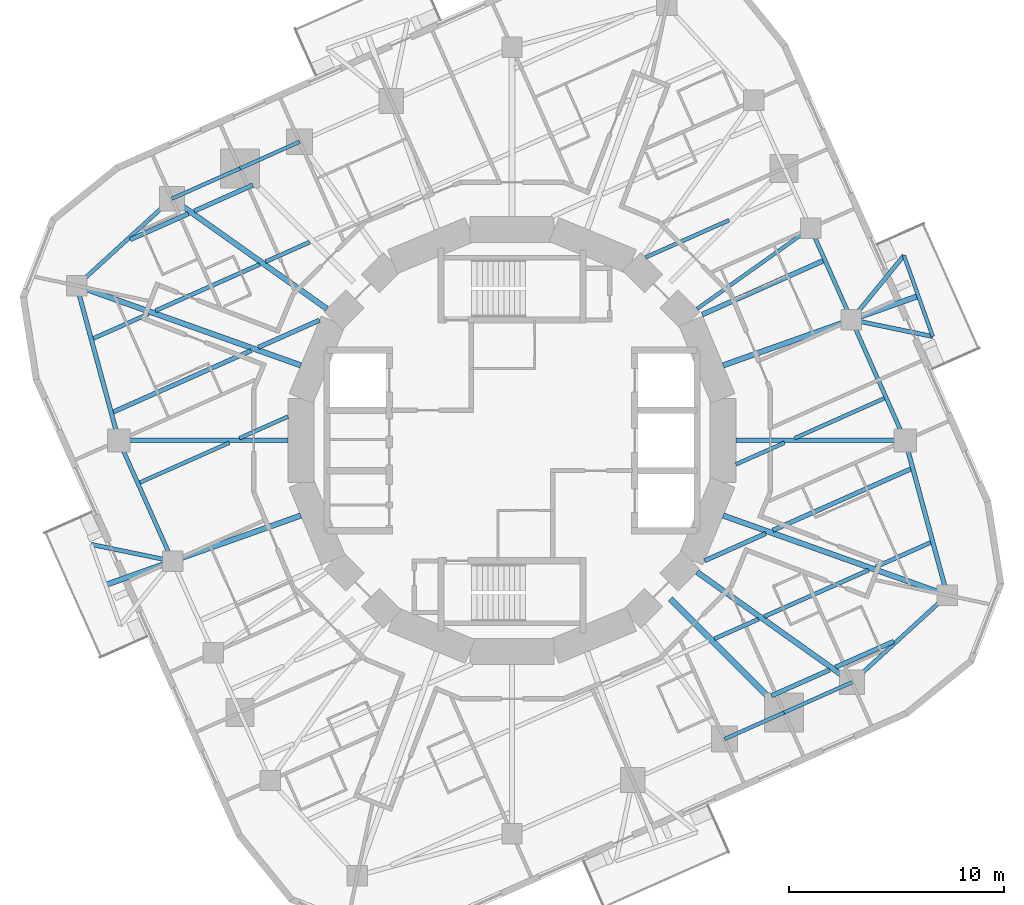
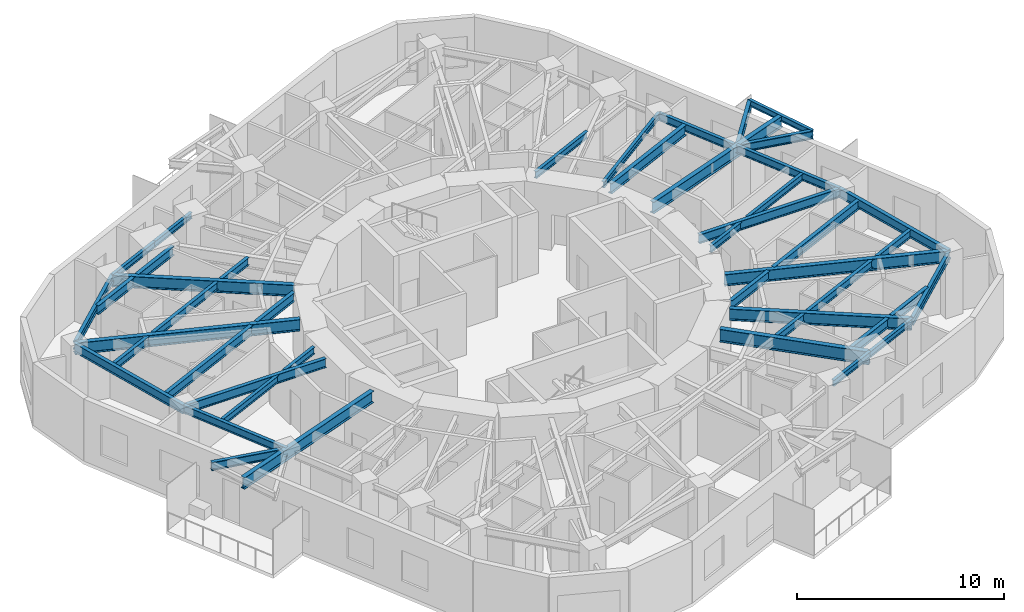
# One storey, part 2 of 12: 45 beams.
"""IFC4 building model written with IfcOpenShell, lengths in metres."""

from ifc_helpers import new_model, si_unit, direction, frame, origin, origin_2d, place, context, subcontext, project, spatial, i_section, extrude, material, material_profile, profile_set, type_object, element, save


model = new_model("IFC4")

# Units and contexts
model_context = context("Model", 3, precision=1e-05, world=origin(), true_north=direction((0.0, 1.0)))
body_context = subcontext(model_context, "Body", "Model", "MODEL_VIEW")
ifc_project = project(units=[si_unit("LENGTHUNIT", "METRE"), si_unit("AREAUNIT", "SQUARE_METRE"), si_unit("VOLUMEUNIT", "CUBIC_METRE"), si_unit("PLANEANGLEUNIT", "RADIAN"), si_unit("MASSUNIT", "GRAM", prefix="KILO")], contexts=[model_context])

# Site, building, storey
site_placement = place(None, origin())
site = spatial("IfcSite", under=ifc_project, at=site_placement, CompositionType="ELEMENT")
building_placement = place(site_placement, origin())
building = spatial("IfcBuilding", under=site, at=building_placement, Name="Nakasero Lantern House", CompositionType="ELEMENT")
storey_placement = place(building_placement, frame((0.0, 0.0, 190.14990234375)))
storey = spatial("IfcBuildingStorey", under=building, at=storey_placement, Name="L46", CompositionType="ELEMENT", Elevation=190.14990234375)

# Beams
ifc_material_1 = material(Name="Steel S355", Category="steel")
ifc_material_profile_1 = material_profile(ifc_material_1, i_section(OverallWidth=0.199462890625, OverallDepth=0.491943359375, WebThickness=0.01806640625, FlangeThickness=0.031982421875, FilletRadius=0.01025390625, at=origin_2d()), Name="UB 457x191x161")
ifc_profile_set_1 = profile_set([ifc_material_profile_1], Name="Steel S355")
beam_type_1 = type_object("IfcBeamType", Name="Balcony splay beam UB 457x191x161", PredefinedType="BEAM", material=ifc_profile_set_1)
beam_1_placement = place(storey_placement, frame((15.781982421875, 5.611328125, 3.404052734375), z_axis=(0.632165712937, 0.774833215206, 0.0), x_axis=(-0.774833215206, 0.632165712937, 0.0)))
element("IfcBeam", 1, at=beam_1_placement, inside=storey, type_object=beam_type_1, Name="Balcony splay beam L47 B5-C04A", PredefinedType="BEAM", context=body_context, shape_type="SweptSolid", body=[
    extrude(i_section(OverallWidth=0.199462890625, OverallDepth=0.491943359375, WebThickness=0.01806640625, FlangeThickness=0.031982421875, FilletRadius=0.01025390625, at=origin_2d()), origin(), (0.0, 0.0, 1.0), 3.85888671875),
])
for number, where, z_axis, x_axis, name in (
    (2, (15.781982421875, 5.611328125, 3.404052734375), (0.979420272605, -0.201831438605, 0.0), (0.201831438605, 0.979420272605, 0.0), "Balcony splay beam L47 B5-C04B"),
    (3, (-15.781982421875, -5.611328125, 3.404052734375), (-0.979420272605, 0.201831438605, 0.0), (-0.201831438605, -0.979420272605, 0.0), "Balcony splay beam L47 B5-C16B"),
):
    element("IfcBeam", number, at=place(storey_placement, frame(where, z_axis=z_axis, x_axis=x_axis)), inside=storey, type_object=beam_type_1, Name=name, PredefinedType="BEAM", context=body_context, shape_type="SweptSolid", body=[
        extrude(i_section(OverallWidth=0.199462890625, OverallDepth=0.491943359375, WebThickness=0.01806640625, FlangeThickness=0.031982421875, FilletRadius=0.01025390625, at=origin_2d()), origin(), (0.0, 0.0, 1.0), 3.858642578125),
    ])
ifc_material_2 = material(Name="Steel S355", Category="steel")
ifc_material_profile_2 = material_profile(ifc_material_2, i_section(OverallWidth=0.17138671875, OverallDepth=0.35498046875, WebThickness=0.00732421875, FlangeThickness=0.011474609375, FilletRadius=0.01025390625, at=origin_2d()), Name="UB 356x171x51")
ifc_profile_set_2 = profile_set([ifc_material_profile_2], Name="Steel S355")
beam_type_2 = type_object("IfcBeamType", Name="Balcony tie beam UB 356x171x51", PredefinedType="BEAM", material=ifc_profile_set_2)
beam_2_placement = place(storey_placement, frame((18.221435546875, 8.601318359375, 3.47265625), z_axis=(0.334971134582, -0.94222839004, 0.0), x_axis=(0.94222839004, 0.334971134582, 0.0)))
element("IfcBeam", 4, at=beam_2_placement, inside=storey, type_object=beam_type_2, Name="Balcony tie beam L47 B5-C04", PredefinedType="BEAM", context=body_context, shape_type="SweptSolid", body=[
    extrude(i_section(OverallWidth=0.17138671875, OverallDepth=0.35498046875, WebThickness=0.00732421875, FlangeThickness=0.011474609375, FilletRadius=0.01025390625, at=origin_2d()), origin(), (0.0, 0.0, 1.0), 4.0),
])
ifc_material_3 = material(Name="Steel S355", Category="steel")
ifc_material_profile_3 = material_profile(ifc_material_3, i_section(OverallWidth=0.177978515625, OverallDepth=0.406494140625, WebThickness=0.0078125, FlangeThickness=0.0126953125, FilletRadius=0.01025390625, at=origin_2d()), Name="UB 406x178x60")
ifc_profile_set_3 = profile_set([ifc_material_profile_3], Name="Steel S355")
beam_type_3 = type_object("IfcBeamType", Name="Infill beam UB 406x178x60", PredefinedType="JOIST", material=ifc_profile_set_3)
beam_3_placement = place(storey_placement, frame((10.407958984375, -1.113037109375, 3.44677734375), z_axis=(0.913531019811, 0.406769069427, 0.0), x_axis=(-0.406769069427, 0.913531019811, 0.0)))
element("IfcBeam", 5, at=beam_3_placement, inside=storey, type_object=beam_type_3, Name="Infill beam L47 06.3", PredefinedType="JOIST", context=body_context, shape_type="SweptSolid", body=[
    extrude(i_section(OverallWidth=0.177978515625, OverallDepth=0.406494140625, WebThickness=0.0078125, FlangeThickness=0.0126953125, FilletRadius=0.01025390625, at=origin_2d()), origin(), (0.0, 0.0, 1.0), 2.478271484375),
])
for number, where, z_axis, x_axis, name in (
    (6, (13.1435546875, 0.10498046875, 3.44677734375), (0.913537236337, 0.406755107929, 0.0), (-0.406755107929, 0.913537236337, 0.0), "Infill beam L47 06.4"),
    (7, (-17.30419921875, -1.95751953125, 3.44677734375), (0.913537236337, 0.406755107929, 0.0), (-0.406755107929, 0.913537236337, 0.0), "Infill beam L47 09.1"),
):
    element("IfcBeam", number, at=place(storey_placement, frame(where, z_axis=z_axis, x_axis=x_axis)), inside=storey, type_object=beam_type_3, Name=name, PredefinedType="JOIST", context=body_context, shape_type="SweptSolid", body=[
        extrude(i_section(OverallWidth=0.177978515625, OverallDepth=0.406494140625, WebThickness=0.0078125, FlangeThickness=0.0126953125, FilletRadius=0.01025390625, at=origin_2d()), origin(), (0.0, 0.0, 1.0), 4.554443359375),
    ])
beam_4_placement = place(storey_placement, frame((-12.671875, 0.10498046875, 3.44677734375), z_axis=(0.913531019811, 0.406769069427, 0.0), x_axis=(-0.406769069427, 0.913531019811, 0.0)))
element("IfcBeam", 8, at=beam_4_placement, inside=storey, type_object=beam_type_3, Name="Infill beam L47 09.2", PredefinedType="JOIST", context=body_context, shape_type="SweptSolid", body=[
    extrude(i_section(OverallWidth=0.177978515625, OverallDepth=0.406494140625, WebThickness=0.0078125, FlangeThickness=0.0126953125, FilletRadius=0.01025390625, at=origin_2d()), origin(), (0.0, 0.0, 1.0), 2.478271484375),
])
beam_5_placement = place(storey_placement, frame((6.2080078125, 8.5107421875, 3.44677734375), z_axis=(0.91354134882, 0.406745871517, 0.0), x_axis=(-0.406745871517, 0.91354134882, 0.0)))
element("IfcBeam", 9, at=beam_5_placement, inside=storey, type_object=beam_type_3, Name="Infill beam L47 09.3", PredefinedType="JOIST", context=body_context, shape_type="SweptSolid", body=[
    extrude(i_section(OverallWidth=0.177978515625, OverallDepth=0.406494140625, WebThickness=0.0078125, FlangeThickness=0.0126953125, FilletRadius=0.01025390625, at=origin_2d()), origin(), (0.0, 0.0, 1.0), 4.250732421875),
])
ifc_material_4 = material(Name="Steel S355", Category="steel")
ifc_material_profile_4 = material_profile(ifc_material_4, i_section(OverallWidth=0.18994140625, OverallDepth=0.453369140625, WebThickness=0.008544921875, FlangeThickness=0.0126953125, FilletRadius=0.01025390625, at=origin_2d()), Name="UB 457x191x67")
ifc_profile_set_4 = profile_set([ifc_material_profile_4], Name="Steel S355")
beam_type_4 = type_object("IfcBeamType", Name="Infill beam UB 457x191x67", PredefinedType="JOIST", material=ifc_profile_set_4)
beam_6_placement = place(storey_placement, frame((9.40869140625, -9.22021484375, 3.42333984375), z_axis=(0.913542551782, 0.406743169684, 0.0), x_axis=(-0.406743169684, 0.913542551782, 0.0)))
element("IfcBeam", 10, at=beam_6_placement, inside=storey, type_object=beam_type_4, Name="Infill beam L47 04.6", PredefinedType="JOIST", context=body_context, shape_type="SweptSolid", body=[
    extrude(i_section(OverallWidth=0.18994140625, OverallDepth=0.453369140625, WebThickness=0.008544921875, FlangeThickness=0.0126953125, FilletRadius=0.01025390625, at=origin_2d()), origin(), (0.0, 0.0, 1.0), 2.247314453125),
])
beam_7_placement = place(storey_placement, frame((11.73095703125, -8.186279296875, 3.42333984375), z_axis=(0.913558956665, 0.406706322421, 0.0), x_axis=(-0.406706322421, 0.913558956665, 0.0)))
element("IfcBeam", 11, at=beam_7_placement, inside=storey, type_object=beam_type_4, Name="Infill beam L47 04.7", PredefinedType="JOIST", context=body_context, shape_type="SweptSolid", body=[
    extrude(i_section(OverallWidth=0.18994140625, OverallDepth=0.453369140625, WebThickness=0.008544921875, FlangeThickness=0.0126953125, FilletRadius=0.01025390625, at=origin_2d()), origin(), (0.0, 0.0, 1.0), 5.3046875),
])
beam_8_placement = place(storey_placement, frame((16.913330078125, -5.87890625, 3.42333984375), z_axis=(0.913544199752, 0.406739468332, 0.0), x_axis=(-0.406739468332, 0.913544199752, 0.0)))
element("IfcBeam", 12, at=beam_8_placement, inside=storey, type_object=beam_type_4, Name="Infill beam L47 04.8", PredefinedType="JOIST", context=body_context, shape_type="SweptSolid", body=[
    extrude(i_section(OverallWidth=0.18994140625, OverallDepth=0.453369140625, WebThickness=0.008544921875, FlangeThickness=0.0126953125, FilletRadius=0.01025390625, at=origin_2d()), origin(), (0.0, 0.0, 1.0), 2.788818359375),
])
beam_9_placement = place(storey_placement, frame((-19.46142578125, 4.744384765625, 3.42333984375), z_axis=(0.913540637242, 0.4067474697, 0.0), x_axis=(-0.4067474697, 0.913540637242, 0.0)))
element("IfcBeam", 13, at=beam_9_placement, inside=storey, type_object=beam_type_4, Name="Infill beam L47 11.1", PredefinedType="JOIST", context=body_context, shape_type="SweptSolid", body=[
    extrude(i_section(OverallWidth=0.18994140625, OverallDepth=0.453369140625, WebThickness=0.008544921875, FlangeThickness=0.0126953125, FilletRadius=0.01025390625, at=origin_2d()), origin(), (0.0, 0.0, 1.0), 2.789306640625),
])
beam_10_placement = place(storey_placement, frame((-16.5771484375, 6.02880859375, 3.42333984375), z_axis=(0.913558956665, 0.406706322421, 0.0), x_axis=(-0.406706322421, 0.913558956665, 0.0)))
element("IfcBeam", 14, at=beam_10_placement, inside=storey, type_object=beam_type_4, Name="Infill beam L47 11.2", PredefinedType="JOIST", context=body_context, shape_type="SweptSolid", body=[
    extrude(i_section(OverallWidth=0.18994140625, OverallDepth=0.453369140625, WebThickness=0.008544921875, FlangeThickness=0.0126953125, FilletRadius=0.01025390625, at=origin_2d()), origin(), (0.0, 0.0, 1.0), 5.3046875),
])
beam_11_placement = place(storey_placement, frame((-11.461669921875, 8.30615234375, 3.42333984375), z_axis=(0.913516376313, 0.406801954529, 0.0), x_axis=(-0.406801954529, 0.913516376313, 0.0)))
element("IfcBeam", 15, at=beam_11_placement, inside=storey, type_object=beam_type_4, Name="Infill beam L47 11.3", PredefinedType="JOIST", context=body_context, shape_type="SweptSolid", body=[
    extrude(i_section(OverallWidth=0.18994140625, OverallDepth=0.453369140625, WebThickness=0.008544921875, FlangeThickness=0.0126953125, FilletRadius=0.01025390625, at=origin_2d()), origin(), (0.0, 0.0, 1.0), 2.2529296875),
])
ifc_material_5 = material(Name="Steel S355", Category="steel")
ifc_material_profile_5 = material_profile(ifc_material_5, i_section(OverallWidth=0.2099609375, OverallDepth=0.53662109375, WebThickness=0.0107421875, FlangeThickness=0.017333984375, FilletRadius=0.0126953125, at=origin_2d()), Name="UB 533x210x101")
ifc_profile_set_5 = profile_set([ifc_material_profile_5], Name="Steel S355")
beam_type_5 = type_object("IfcBeamType", Name="Infill beam UB 533x210x101", PredefinedType="JOIST", material=ifc_profile_set_5)
beam_12_placement = place(storey_placement, frame((12.059814453125, -11.87109375, 3.3818359375), z_axis=(0.913557306792, 0.406710028408, 0.0), x_axis=(-0.406710028408, 0.913557306792, 0.0)))
element("IfcBeam", 16, at=beam_12_placement, inside=storey, type_object=beam_type_5, Name="Infill beam L47 03.2", PredefinedType="JOIST", context=body_context, shape_type="SweptSolid", body=[
    extrude(i_section(OverallWidth=0.2099609375, OverallDepth=0.53662109375, WebThickness=0.0107421875, FlangeThickness=0.017333984375, FilletRadius=0.0126953125, at=origin_2d()), origin(), (0.0, 0.0, 1.0), 2.971923828125),
])
for number, where, z_axis, x_axis, name in (
    (17, (15.044189453125, -10.54248046875, 3.3818359375), (0.91353278913, 0.406765095827, 0.0), (-0.406765095827, 0.91353278913, 0.0), "Infill beam L47 03.3"),
    (18, (-17.751708984375, 9.3369140625, 3.3818359375), (0.91353278913, 0.406765095827, 0.0), (-0.406765095827, 0.91353278913, 0.0), "Infill beam L47 12.1"),
):
    element("IfcBeam", number, at=place(storey_placement, frame(where, z_axis=z_axis, x_axis=x_axis)), inside=storey, type_object=beam_type_5, Name=name, PredefinedType="JOIST", context=body_context, shape_type="SweptSolid", body=[
        extrude(i_section(OverallWidth=0.2099609375, OverallDepth=0.53662109375, WebThickness=0.0107421875, FlangeThickness=0.017333984375, FilletRadius=0.0126953125, at=origin_2d()), origin(), (0.0, 0.0, 1.0), 2.9638671875),
    ])
beam_13_placement = place(storey_placement, frame((-14.77490234375, 10.662353515625, 3.3818359375), z_axis=(0.913551039628, 0.406724105501, 0.0), x_axis=(-0.406724105501, 0.913551039628, 0.0)))
element("IfcBeam", 19, at=beam_13_placement, inside=storey, type_object=beam_type_5, Name="Infill beam L47 12.2", PredefinedType="JOIST", context=body_context, shape_type="SweptSolid", body=[
    extrude(i_section(OverallWidth=0.2099609375, OverallDepth=0.53662109375, WebThickness=0.0107421875, FlangeThickness=0.017333984375, FilletRadius=0.0126953125, at=origin_2d()), origin(), (0.0, 0.0, 1.0), 2.977783203125),
])
ifc_material_6 = material(Name="Steel S355", Category="steel")
ifc_material_profile_6 = material_profile(ifc_material_6, i_section(OverallWidth=0.208740234375, OverallDepth=0.5283203125, WebThickness=0.009521484375, FlangeThickness=0.01318359375, FilletRadius=0.0126953125, at=origin_2d()), Name="UB 533x210x82")
ifc_profile_set_6 = profile_set([ifc_material_profile_6], Name="Steel S355")
beam_type_6 = type_object("IfcBeamType", Name="Infill beam UB 533x210x82", PredefinedType="JOIST", material=ifc_profile_set_6)
beam_14_placement = place(storey_placement, frame((8.9482421875, -5.593994140625, 3.385986328125), z_axis=(0.913555928833, 0.406713123582, 0.0), x_axis=(-0.406713123582, 0.913555928833, 0.0)))
element("IfcBeam", 20, at=beam_14_placement, inside=storey, type_object=beam_type_6, Name="Infill beam L47 05.4", PredefinedType="JOIST", context=body_context, shape_type="SweptSolid", body=[
    extrude(i_section(OverallWidth=0.208740234375, OverallDepth=0.5283203125, WebThickness=0.009521484375, FlangeThickness=0.01318359375, FilletRadius=0.0126953125, at=origin_2d()), origin(), (0.0, 0.0, 1.0), 3.113525390625),
])
beam_15_placement = place(storey_placement, frame((12.12890625, -4.177978515625, 3.385986328125), z_axis=(0.913538442343, 0.406752399332, 0.0), x_axis=(-0.406752399332, 0.913538442343, 0.0)))
element("IfcBeam", 21, at=beam_15_placement, inside=storey, type_object=beam_type_6, Name="Infill beam L47 05.5", PredefinedType="JOIST", context=body_context, shape_type="SweptSolid", body=[
    extrude(i_section(OverallWidth=0.208740234375, OverallDepth=0.5283203125, WebThickness=0.009521484375, FlangeThickness=0.01318359375, FilletRadius=0.0126953125, at=origin_2d()), origin(), (0.0, 0.0, 1.0), 7.00927734375),
])
beam_16_placement = place(storey_placement, frame((-18.53271484375, 1.32666015625, 3.385986328125), z_axis=(0.913537025225, 0.406755582067, 0.0), x_axis=(-0.406755582067, 0.913537025225, 0.0)))
element("IfcBeam", 22, at=beam_16_placement, inside=storey, type_object=beam_type_6, Name="Infill beam L47 10.1", PredefinedType="JOIST", context=body_context, shape_type="SweptSolid", body=[
    extrude(i_section(OverallWidth=0.208740234375, OverallDepth=0.5283203125, WebThickness=0.009521484375, FlangeThickness=0.01318359375, FilletRadius=0.0126953125, at=origin_2d()), origin(), (0.0, 0.0, 1.0), 7.010009765625),
])
beam_17_placement = place(storey_placement, frame((-11.792724609375, 4.32763671875, 3.385986328125), z_axis=(0.913555928833, 0.406713123582, 0.0), x_axis=(-0.406713123582, 0.913555928833, 0.0)))
element("IfcBeam", 23, at=beam_17_placement, inside=storey, type_object=beam_type_6, Name="Infill beam L47 10.2", PredefinedType="JOIST", context=body_context, shape_type="SweptSolid", body=[
    extrude(i_section(OverallWidth=0.208740234375, OverallDepth=0.5283203125, WebThickness=0.009521484375, FlangeThickness=0.01318359375, FilletRadius=0.0126953125, at=origin_2d()), origin(), (0.0, 0.0, 1.0), 3.113525390625),
])
ifc_material_7 = material(Name="Steel S355", Category="steel")
ifc_material_profile_7 = material_profile(ifc_material_7, i_section(OverallWidth=0.22900390625, OverallDepth=0.6123046875, WebThickness=0.011962890625, FlangeThickness=0.01953125, FilletRadius=0.0126953125, at=origin_2d()), Name="UB 610x229x125")
ifc_profile_set_7 = profile_set([ifc_material_profile_7], Name="Steel S355")
beam_type_7 = type_object("IfcBeamType", Name="Infill beam UB 610x229x125", PredefinedType="JOIST", material=ifc_profile_set_7)
beam_18_placement = place(storey_placement, frame((8.84130859375, 5.85205078125, 3.343994140625), z_axis=(0.913552627294, 0.406720539393, 0.0), x_axis=(-0.406720539393, 0.913552627294, 0.0)))
element("IfcBeam", 24, at=beam_18_placement, inside=storey, type_object=beam_type_7, Name="Infill beam L47 08.1", PredefinedType="JOIST", context=body_context, shape_type="SweptSolid", body=[
    extrude(i_section(OverallWidth=0.22900390625, OverallDepth=0.6123046875, WebThickness=0.011962890625, FlangeThickness=0.01953125, FilletRadius=0.0126953125, at=origin_2d()), origin(), (0.0, 0.0, 1.0), 6.14794921875),
])
ifc_material_8 = material(Name="Steel S355", Category="steel")
ifc_material_profile_8 = material_profile(ifc_material_8, i_section(OverallWidth=0.17138671875, OverallDepth=0.35498046875, WebThickness=0.00732421875, FlangeThickness=0.011474609375, FilletRadius=0.01025390625, at=origin_2d()), Name="UB 356x171x51")
ifc_profile_set_8 = profile_set([ifc_material_profile_8], Name="Steel S355")
beam_type_8 = type_object("IfcBeamType", Name="Primary beam UB 356x171x51, span 6 to 9 m", PredefinedType="BEAM", material=ifc_profile_set_8)
beam_19_placement = place(storey_placement, frame((13.884521484375, 9.87353515625, 3.47265625), z_axis=(-0.8149430702, -0.57954101868, 0.0), x_axis=(0.57954101868, -0.8149430702, 0.0)))
element("IfcBeam", 25, at=beam_19_placement, inside=storey, type_object=beam_type_8, Name="Primary beam L47 B5-C05", PredefinedType="BEAM", context=body_context, shape_type="SweptSolid", body=[
    extrude(i_section(OverallWidth=0.17138671875, OverallDepth=0.35498046875, WebThickness=0.00732421875, FlangeThickness=0.011474609375, FilletRadius=0.01025390625, at=origin_2d()), origin(), (0.0, 0.0, 1.0), 6.48193359375),
])
ifc_material_9 = material(Name="Steel S355", Category="steel")
ifc_material_profile_9 = material_profile(ifc_material_9, i_section(OverallWidth=0.2099609375, OverallDepth=0.53662109375, WebThickness=0.0107421875, FlangeThickness=0.017333984375, FilletRadius=0.0126953125, at=origin_2d()), Name="UB 533x210x101")
ifc_profile_set_9 = profile_set([ifc_material_profile_9], Name="Steel S355")
beam_type_9 = type_object("IfcBeamType", Name="Primary beam UB 533x210x101, span 6 to 9 m", PredefinedType="BEAM", material=ifc_profile_set_9)
for number, where, z_axis, x_axis, name in (
    (26, (18.280517578125, 0.0, 3.3818359375), (-1.0, 0.0, 0.0), (0.0, -1.0, 0.0), "Primary beam L47 B5-C03"),
    (27, (-18.280517578125, 0.0, 3.3818359375), (1.0, 0.0, 0.0), (0.0, 1.0, 0.0), "Primary beam L47 B5-C15"),
):
    element("IfcBeam", number, at=place(storey_placement, frame(where, z_axis=z_axis, x_axis=x_axis)), inside=storey, type_object=beam_type_9, Name=name, PredefinedType="BEAM", context=body_context, shape_type="SweptSolid", body=[
        extrude(i_section(OverallWidth=0.2099609375, OverallDepth=0.53662109375, WebThickness=0.0107421875, FlangeThickness=0.017333984375, FilletRadius=0.0126953125, at=origin_2d()), origin(), (0.0, 0.0, 1.0), 7.87255859375),
    ])
ifc_material_10 = material(Name="Steel S355", Category="steel")
ifc_material_profile_10 = material_profile(ifc_material_10, i_section(OverallWidth=0.253662109375, OverallDepth=0.68359375, WebThickness=0.012451171875, FlangeThickness=0.01904296875, FilletRadius=0.01513671875, at=origin_2d()), Name="UB 686x254x140")
ifc_profile_set_10 = profile_set([ifc_material_profile_10], Name="Steel S355")
beam_type_10 = type_object("IfcBeamType", Name="Primary beam UB 686x254x140, span 6 to 9 m", PredefinedType="BEAM", material=ifc_profile_set_10)
beam_20_placement = place(storey_placement, frame((15.808837890625, -11.241943359375, 3.308349609375), z_axis=(-0.814946052543, 0.579536824926, 0.0), x_axis=(-0.579536824926, -0.814946052543, 0.0)))
element("IfcBeam", 28, at=beam_20_placement, inside=storey, type_object=beam_type_10, Name="Primary beam L47 B5-C01", PredefinedType="BEAM", context=body_context, shape_type="SweptSolid", body=[
    extrude(i_section(OverallWidth=0.253662109375, OverallDepth=0.68359375, WebThickness=0.012451171875, FlangeThickness=0.01904296875, FilletRadius=0.01513671875, at=origin_2d()), origin(), (0.0, 0.0, 1.0), 8.84326171875),
])
beam_21_placement = place(storey_placement, frame((18.891357421875, 6.717041015625, 3.308349609375), z_axis=(-0.942207397814, -0.335030177005, 0.0), x_axis=(0.335030177005, -0.942207397814, 0.0)))
element("IfcBeam", 29, at=beam_21_placement, inside=storey, type_object=beam_type_10, Name="Primary beam L47 B5-C04", PredefinedType="BEAM", context=body_context, shape_type="SweptSolid", body=[
    extrude(i_section(OverallWidth=0.253662109375, OverallDepth=0.68359375, WebThickness=0.012451171875, FlangeThickness=0.01904296875, FilletRadius=0.01513671875, at=origin_2d()), origin(), (0.0, 0.0, 1.0), 9.62841796875),
])
beam_22_placement = place(storey_placement, frame((-15.808837890625, 11.241943359375, 3.308349609375), z_axis=(0.814946052543, -0.579536824926, 0.0), x_axis=(0.579536824926, 0.814946052543, 0.0)))
element("IfcBeam", 30, at=beam_22_placement, inside=storey, type_object=beam_type_10, Name="Primary beam L47 B5-C13", PredefinedType="BEAM", context=body_context, shape_type="SweptSolid", body=[
    extrude(i_section(OverallWidth=0.253662109375, OverallDepth=0.68359375, WebThickness=0.012451171875, FlangeThickness=0.01904296875, FilletRadius=0.01513671875, at=origin_2d()), origin(), (0.0, 0.0, 1.0), 8.84326171875),
])
beam_23_placement = place(storey_placement, frame((-18.891357421875, -6.717041015625, 3.308349609375), z_axis=(0.942207397814, 0.335030177005, 0.0), x_axis=(-0.335030177005, 0.942207397814, 0.0)))
element("IfcBeam", 31, at=beam_23_placement, inside=storey, type_object=beam_type_10, Name="Primary beam L47 B5-C16", PredefinedType="BEAM", context=body_context, shape_type="SweptSolid", body=[
    extrude(i_section(OverallWidth=0.253662109375, OverallDepth=0.68359375, WebThickness=0.012451171875, FlangeThickness=0.01904296875, FilletRadius=0.01513671875, at=origin_2d()), origin(), (0.0, 0.0, 1.0), 9.62841796875),
])
ifc_material_11 = material(Name="Steel S355", Category="steel")
ifc_material_profile_11 = material_profile(ifc_material_11, i_section(OverallWidth=0.253662109375, OverallDepth=0.68359375, WebThickness=0.012451171875, FlangeThickness=0.01904296875, FilletRadius=0.01513671875, at=origin_2d()), Name="UB 686x254x140")
ifc_profile_set_11 = profile_set([ifc_material_profile_11], Name="Steel S355")
beam_type_11 = type_object("IfcBeamType", Name="Primary beam UB 686x254x140, span 9 to 12 m", PredefinedType="BEAM", material=ifc_profile_set_11)
for number, where, z_axis, x_axis, name in (
    (32, (20.2353515625, -7.19482421875, 3.308349609375), (-0.942210662535, 0.335020995468, 0.0), (-0.335020995468, -0.942210662535, 0.0), "Primary beam L47 B5-C02"),
    (33, (-20.2353515625, 7.19482421875, 3.308349609375), (0.942210662535, -0.335020995468, 0.0), (0.335020995468, 0.942210662535, 0.0), "Primary beam L47 B5-C14"),
):
    element("IfcBeam", number, at=place(storey_placement, frame(where, z_axis=z_axis, x_axis=x_axis)), inside=storey, type_object=beam_type_11, Name=name, PredefinedType="BEAM", context=body_context, shape_type="SweptSolid", body=[
        extrude(i_section(OverallWidth=0.253662109375, OverallDepth=0.68359375, WebThickness=0.012451171875, FlangeThickness=0.01904296875, FilletRadius=0.01513671875, at=origin_2d()), origin(), (0.0, 0.0, 1.0), 11.054931640625),
    ])
ifc_material_12 = material(Name="Steel S355", Category="steel")
ifc_material_profile_12 = material_profile(ifc_material_12, i_section(OverallWidth=0.2666015625, OverallDepth=0.76220703125, WebThickness=0.014404296875, FlangeThickness=0.021484375, FilletRadius=0.0166015625, at=origin_2d()), Name="UB 762x267x173")
ifc_profile_set_12 = profile_set([ifc_material_profile_12], Name="Steel S355")
beam_type_12 = type_object("IfcBeamType", Name="Primary beam UB 762x267x173, span 6 to 9 m", PredefinedType="BEAM", material=ifc_profile_set_12)
beam_24_placement = place(storey_placement, frame((12.64892578125, -12.64892578125, 3.26904296875), z_axis=(-0.707106781187, 0.707106781187, 0.0), x_axis=(-0.707106781187, -0.707106781187, 0.0)))
element("IfcBeam", 34, at=beam_24_placement, inside=storey, type_object=beam_type_12, Name="Primary beam L47 B5-C24", PredefinedType="BEAM", context=body_context, shape_type="SweptSolid", body=[
    extrude(i_section(OverallWidth=0.2666015625, OverallDepth=0.76220703125, WebThickness=0.014404296875, FlangeThickness=0.021484375, FilletRadius=0.0166015625, at=origin_2d()), origin(), (0.0, 0.0, 1.0), 7.48046875),
])
ifc_material_13 = material(Name="Steel S355", Category="steel")
ifc_material_profile_13 = material_profile(ifc_material_13, i_section(OverallWidth=0.17138671875, OverallDepth=0.35498046875, WebThickness=0.00732421875, FlangeThickness=0.011474609375, FilletRadius=0.01025390625, at=origin_2d()), Name="UB 356x171x51")
ifc_profile_set_13 = profile_set([ifc_material_profile_13], Name="Steel S355")
beam_type_13 = type_object("IfcBeamType", Name="Ring beam UB 356x171x51", PredefinedType="BEAM", material=ifc_profile_set_13)
beam_25_placement = place(storey_placement, frame((-9.87353515625, 13.884521484375, 3.47265625), z_axis=(-0.913556197925, -0.40671251915, 0.0), x_axis=(0.40671251915, -0.913556197925, 0.0)))
element("IfcBeam", 35, at=beam_25_placement, inside=storey, type_object=beam_type_13, Name="Ring beam L47 B5-C11", PredefinedType="BEAM", context=body_context, shape_type="SweptSolid", body=[
    extrude(i_section(OverallWidth=0.17138671875, OverallDepth=0.35498046875, WebThickness=0.00732421875, FlangeThickness=0.011474609375, FilletRadius=0.01025390625, at=origin_2d()), origin(), (0.0, 0.0, 1.0), 3.0380859375),
])
beam_26_placement = place(storey_placement, frame((-12.64892578125, 12.64892578125, 3.47265625), z_axis=(-0.913534832457, -0.406760506795, 0.0), x_axis=(0.406760506795, -0.913534832457, 0.0)))
element("IfcBeam", 36, at=beam_26_placement, inside=storey, type_object=beam_type_13, Name="Ring beam L47 B5-C12", PredefinedType="BEAM", context=body_context, shape_type="SweptSolid", body=[
    extrude(i_section(OverallWidth=0.17138671875, OverallDepth=0.35498046875, WebThickness=0.00732421875, FlangeThickness=0.011474609375, FilletRadius=0.01025390625, at=origin_2d()), origin(), (0.0, 0.0, 1.0), 3.458984375),
])
beam_27_placement = place(storey_placement, frame((9.87353515625, -13.884521484375, 3.47265625), z_axis=(0.913556197925, 0.40671251915, 0.0), x_axis=(-0.40671251915, 0.913556197925, 0.0)))
element("IfcBeam", 37, at=beam_27_placement, inside=storey, type_object=beam_type_13, Name="Ring beam L47 B5-C23", PredefinedType="BEAM", context=body_context, shape_type="SweptSolid", body=[
    extrude(i_section(OverallWidth=0.17138671875, OverallDepth=0.35498046875, WebThickness=0.00732421875, FlangeThickness=0.011474609375, FilletRadius=0.01025390625, at=origin_2d()), origin(), (0.0, 0.0, 1.0), 3.0380859375),
])
beam_28_placement = place(storey_placement, frame((12.64892578125, -12.64892578125, 3.47265625), z_axis=(0.913534832457, 0.406760506795, 0.0), x_axis=(-0.406760506795, 0.913534832457, 0.0)))
element("IfcBeam", 38, at=beam_28_placement, inside=storey, type_object=beam_type_13, Name="Ring beam L47 B5-C24", PredefinedType="BEAM", context=body_context, shape_type="SweptSolid", body=[
    extrude(i_section(OverallWidth=0.17138671875, OverallDepth=0.35498046875, WebThickness=0.00732421875, FlangeThickness=0.011474609375, FilletRadius=0.01025390625, at=origin_2d()), origin(), (0.0, 0.0, 1.0), 3.458984375),
])
ifc_material_14 = material(Name="Steel S355", Category="steel")
ifc_material_profile_14 = material_profile(ifc_material_14, i_section(OverallWidth=0.18994140625, OverallDepth=0.453369140625, WebThickness=0.008544921875, FlangeThickness=0.0126953125, FilletRadius=0.01025390625, at=origin_2d()), Name="UB 457x191x67")
ifc_profile_set_14 = profile_set([ifc_material_profile_14], Name="Steel S355")
beam_type_14 = type_object("IfcBeamType", Name="Ring beam UB 457x191x67", PredefinedType="BEAM", material=ifc_profile_set_14)
beam_29_placement = place(storey_placement, frame((15.808837890625, -11.241943359375, 3.42333984375), z_axis=(0.73802707447, 0.674771099966, 0.0), x_axis=(-0.674771099966, 0.73802707447, 0.0)))
element("IfcBeam", 39, at=beam_29_placement, inside=storey, type_object=beam_type_14, Name="Ring beam L47 B5-C01", PredefinedType="BEAM", context=body_context, shape_type="SweptSolid", body=[
    extrude(i_section(OverallWidth=0.18994140625, OverallDepth=0.453369140625, WebThickness=0.008544921875, FlangeThickness=0.0126953125, FilletRadius=0.01025390625, at=origin_2d()), origin(), (0.0, 0.0, 1.0), 5.997802734375),
])
beam_30_placement = place(storey_placement, frame((15.781982421875, 5.611328125, 3.42333984375), z_axis=(-0.406701600856, 0.913561058639, 0.0), x_axis=(-0.913561058639, -0.406701600856, 0.0)))
element("IfcBeam", 40, at=beam_30_placement, inside=storey, type_object=beam_type_14, Name="Ring beam L47 B5-C04", PredefinedType="BEAM", context=body_context, shape_type="SweptSolid", body=[
    extrude(i_section(OverallWidth=0.18994140625, OverallDepth=0.453369140625, WebThickness=0.008544921875, FlangeThickness=0.0126953125, FilletRadius=0.01025390625, at=origin_2d()), origin(), (0.0, 0.0, 1.0), 4.66552734375),
])
beam_31_placement = place(storey_placement, frame((-15.808837890625, 11.241943359375, 3.42333984375), z_axis=(-0.73802707447, -0.674771099966, 0.0), x_axis=(0.674771099966, -0.73802707447, 0.0)))
element("IfcBeam", 41, at=beam_31_placement, inside=storey, type_object=beam_type_14, Name="Ring beam L47 B5-C13", PredefinedType="BEAM", context=body_context, shape_type="SweptSolid", body=[
    extrude(i_section(OverallWidth=0.18994140625, OverallDepth=0.453369140625, WebThickness=0.008544921875, FlangeThickness=0.0126953125, FilletRadius=0.01025390625, at=origin_2d()), origin(), (0.0, 0.0, 1.0), 5.997802734375),
])
ifc_material_15 = material(Name="Steel S355", Category="steel")
ifc_material_profile_15 = material_profile(ifc_material_15, i_section(OverallWidth=0.19140625, OverallDepth=0.4599609375, WebThickness=0.010009765625, FlangeThickness=0.01611328125, FilletRadius=0.01025390625, at=origin_2d()), Name="UB 457x191x82")
ifc_profile_set_15 = profile_set([ifc_material_profile_15], Name="Steel S355")
beam_type_15 = type_object("IfcBeamType", Name="Ring beam UB 457x191x82", PredefinedType="BEAM", material=ifc_profile_set_15)
for number, where, z_axis, x_axis, name in (
    (42, (18.280517578125, 0.0, 3.420166015625), (-0.406765299215, 0.913532698569, 0.0), (-0.913532698569, -0.406765299215, 0.0), "Ring beam L47 B5-C03"),
    (43, (-18.280517578125, 0.0, 3.420166015625), (0.406765299215, -0.913532698569, 0.0), (0.913532698569, 0.406765299215, 0.0), "Ring beam L47 B5-C15"),
):
    element("IfcBeam", number, at=place(storey_placement, frame(where, z_axis=z_axis, x_axis=x_axis)), inside=storey, type_object=beam_type_15, Name=name, PredefinedType="BEAM", context=body_context, shape_type="SweptSolid", body=[
        extrude(i_section(OverallWidth=0.19140625, OverallDepth=0.4599609375, WebThickness=0.010009765625, FlangeThickness=0.01611328125, FilletRadius=0.01025390625, at=origin_2d()), origin(), (0.0, 0.0, 1.0), 6.142333984375),
    ])
ifc_material_16 = material(Name="Steel S355", Category="steel")
ifc_material_profile_16 = material_profile(ifc_material_16, i_section(OverallWidth=0.2099609375, OverallDepth=0.53662109375, WebThickness=0.0107421875, FlangeThickness=0.017333984375, FilletRadius=0.0126953125, at=origin_2d()), Name="UB 533x210x101")
ifc_profile_set_16 = profile_set([ifc_material_profile_16], Name="Steel S355")
beam_type_16 = type_object("IfcBeamType", Name="Ring beam UB 533x210x101", PredefinedType="BEAM", material=ifc_profile_set_16)
beam_32_placement = place(storey_placement, frame((20.2353515625, -7.19482421875, 3.3818359375), z_axis=(-0.26219461312, 0.965015017941, 0.0), x_axis=(-0.965015017941, -0.26219461312, 0.0)))
element("IfcBeam", 44, at=beam_32_placement, inside=storey, type_object=beam_type_16, Name="Ring beam L47 B5-C02", PredefinedType="BEAM", context=body_context, shape_type="SweptSolid", body=[
    extrude(i_section(OverallWidth=0.2099609375, OverallDepth=0.53662109375, WebThickness=0.0107421875, FlangeThickness=0.017333984375, FilletRadius=0.0126953125, at=origin_2d()), origin(), (0.0, 0.0, 1.0), 7.45556640625),
])
ifc_material_17 = material(Name="Steel S355", Category="steel")
ifc_material_profile_17 = material_profile(ifc_material_17, i_section(OverallWidth=0.208740234375, OverallDepth=0.5283203125, WebThickness=0.009521484375, FlangeThickness=0.01318359375, FilletRadius=0.0126953125, at=origin_2d()), Name="UB 533x210x82")
ifc_profile_set_17 = profile_set([ifc_material_profile_17], Name="Steel S355")
beam_type_17 = type_object("IfcBeamType", Name="Ring beam UB 533x210x82", PredefinedType="BEAM", material=ifc_profile_set_17)
beam_33_placement = place(storey_placement, frame((-20.2353515625, 7.19482421875, 3.385986328125), z_axis=(0.26219461312, -0.965015017941, 0.0), x_axis=(0.965015017941, 0.26219461312, 0.0)))
element("IfcBeam", 45, at=beam_33_placement, inside=storey, type_object=beam_type_17, Name="Ring beam L47 B5-C14", PredefinedType="BEAM", context=body_context, shape_type="SweptSolid", body=[
    extrude(i_section(OverallWidth=0.208740234375, OverallDepth=0.5283203125, WebThickness=0.009521484375, FlangeThickness=0.01318359375, FilletRadius=0.0126953125, at=origin_2d()), origin(), (0.0, 0.0, 1.0), 7.45556640625),
])

save(model, "model.ifc")
